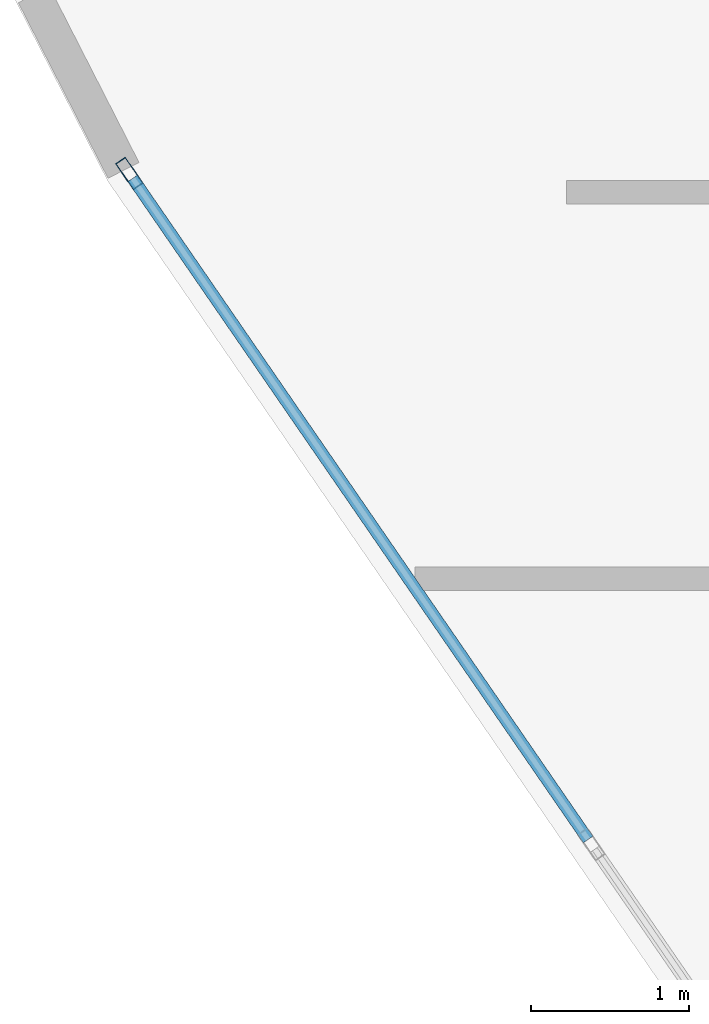
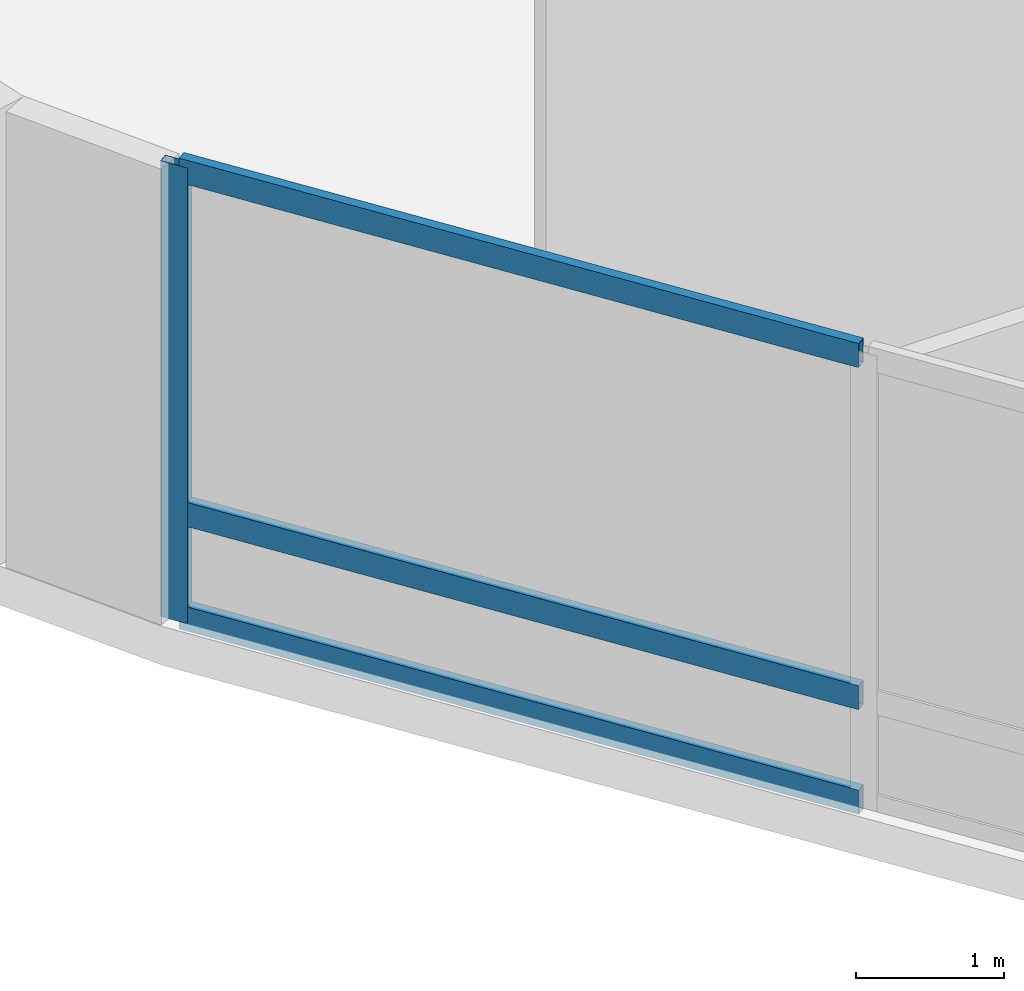
# One storey, part 6 of 15: 4 members, 1 element without a shape of its own.
"""IFC4 building model written with IfcOpenShell, lengths in metres."""

from ifc_helpers import new_model, si_unit, direction, frame, origin, origin_2d, place, context, subcontext, project, spatial, hollow_rectangle, extrude, material, layer, layer_set, material_profile, profile_set, type_object, element, aggregate, save


model = new_model("IFC4")

# Units and contexts
model_context = context("Model", 3, precision=1e-05, world=origin(), true_north=direction((0.0, 1.0)))
body_context = subcontext(model_context, "Body", "Model", "MODEL_VIEW")
ifc_project = project(units=[si_unit("LENGTHUNIT", "METRE"), si_unit("AREAUNIT", "SQUARE_METRE"), si_unit("VOLUMEUNIT", "CUBIC_METRE"), si_unit("PLANEANGLEUNIT", "RADIAN"), si_unit("MASSUNIT", "GRAM", prefix="KILO")], contexts=[model_context])

# Site, building, storey
site_placement = place(None, origin())
site = spatial("IfcSite", under=ifc_project, at=site_placement, CompositionType="ELEMENT")
building_placement = place(site_placement, origin())
building = spatial("IfcBuilding", under=site, at=building_placement, Name="Varnelok Gate Tower", CompositionType="ELEMENT")
storey_placement = place(building_placement, frame((0.0, 0.0, 291.5)))
storey = spatial("IfcBuildingStorey", under=building, at=storey_placement, Name="L75", CompositionType="ELEMENT", Elevation=291.5)

# Curtain wall, members
ifc_material = material(Name="Anodized Aluminum Alloy 6063-T6", Category="aluminium")
ifc_layer = layer(ifc_material, 0.179931640625)
ifc_layer_set = layer_set([ifc_layer], Name="Anodized Aluminum Alloy 6063-T6")
curtain_wall_type = type_object("IfcCurtainWallType", Name="CW6-CROWN-LOOKOUT", PredefinedType="USERDEFINED", material=ifc_layer_set)
curtain_wall_placement = place(storey_placement, origin())
curtain_wall = element("IfcCurtainWall", 1, at=curtain_wall_placement, inside=storey, type_object=curtain_wall_type, Name="L75 West End Vision Curtain Wall", ObjectType="STRUCTURAL GLAZING", PredefinedType="USERDEFINED")
ifc_material_profile_1 = material_profile(ifc_material, hollow_rectangle(XDim=0.074951171875, YDim=0.199951171875, WallThickness=0.00390625, at=origin_2d()), Name="ALU200X75X4")
ifc_profile_set_1 = profile_set([ifc_material_profile_1], Name="Anodized Aluminum Alloy 6063-T6")
member_type_1 = type_object("IfcMemberType", Name="CW-MULL-200", PredefinedType="MULLION", material=ifc_profile_set_1)
member_1_placement = place(storey_placement, frame((3.228271484375, 19.4189453125, 0.0), z_axis=(0.0, 0.0, 1.0), x_axis=(-0.823532290241, -0.567269395376, 0.0)))
member_1 = element("IfcMember", 2, at=member_1_placement, type_object=member_type_1, Name="CW6 mullion 7", PredefinedType="MULLION", context=body_context, shape_type="SweptSolid", body=[
    extrude(hollow_rectangle(XDim=0.074951171875, YDim=0.199951171875, WallThickness=0.00390625, at=origin_2d()), origin(), (0.0, 0.0, 1.0), 3.760009765625),
])
ifc_material_profile_2 = material_profile(ifc_material, hollow_rectangle(XDim=0.074951171875, YDim=0.199951171875, WallThickness=0.00390625, at=origin_2d()), Name="ALU200X75X4")
ifc_profile_set_2 = profile_set([ifc_material_profile_2], Name="Anodized Aluminum Alloy 6063-T6")
member_type_2 = type_object("IfcMemberType", Name="CW-TRAN-200", PredefinedType="USERDEFINED", material=ifc_profile_set_2)
member_2_placement = place(storey_placement, frame((6.135498046875, 15.198486328125, 0.03759765625), z_axis=(-0.567271968481, 0.823530517817, 0.0), x_axis=(-0.823530517817, -0.567271968481, 0.0)))
member_2 = element("IfcMember", 3, at=member_2_placement, type_object=member_type_2, Name="CW6 transom 6.1", ObjectType="TRANSOM", PredefinedType="USERDEFINED", context=body_context, shape_type="SweptSolid", body=[
    extrude(hollow_rectangle(XDim=0.074951171875, YDim=0.199951171875, WallThickness=0.00390625, at=origin_2d()), origin(), (0.0, 0.0, 1.0), 5.08740234375),
])
member_3_placement = place(storey_placement, frame((6.135498046875, 15.198486328125, 0.89990234375), z_axis=(-0.567271968481, 0.823530517817, 0.0), x_axis=(-0.823530517817, -0.567271968481, 0.0)))
member_3 = element("IfcMember", 4, at=member_3_placement, type_object=member_type_2, Name="CW6 transom 6.2", ObjectType="TRANSOM", PredefinedType="USERDEFINED", context=body_context, shape_type="SweptSolid", body=[
    extrude(hollow_rectangle(XDim=0.074951171875, YDim=0.199951171875, WallThickness=0.00390625, at=origin_2d()), origin(), (0.0, 0.0, 1.0), 5.08740234375),
])
member_4_placement = place(storey_placement, frame((6.135498046875, 15.198486328125, 3.722412109375), z_axis=(-0.567271968481, 0.823530517817, 0.0), x_axis=(-0.823530517817, -0.567271968481, 0.0)))
member_4 = element("IfcMember", 5, at=member_4_placement, type_object=member_type_2, Name="CW6 transom 6.3", ObjectType="TRANSOM", PredefinedType="USERDEFINED", context=body_context, shape_type="SweptSolid", body=[
    extrude(hollow_rectangle(XDim=0.074951171875, YDim=0.199951171875, WallThickness=0.00390625, at=origin_2d()), origin(), (0.0, 0.0, 1.0), 5.08740234375),
])
aggregate(curtain_wall, [member_1, member_2, member_3, member_4])

save(model, "model.ifc")
